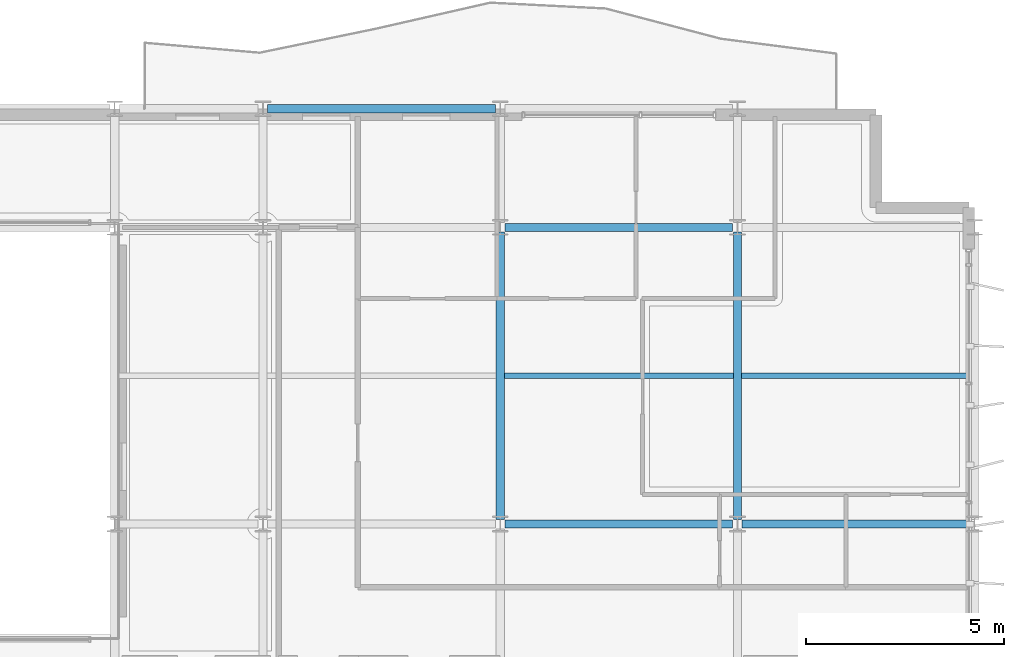
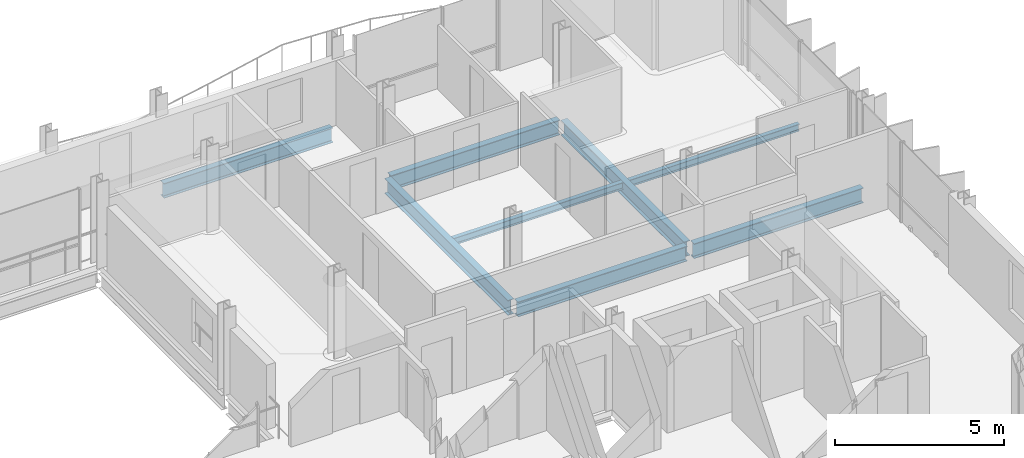
# One storey, part 21 of 38: 8 beams.
"""IFC4 building model written with IfcOpenShell, lengths in metres."""

from ifc_helpers import new_model, si_unit, direction, frame, origin, origin_2d, place, context, subcontext, project, spatial, i_section, extrude, material, material_profile, profile_set, type_object, element, save


model = new_model("IFC4")

# Units and contexts
model_context = context("Model", 3, precision=1e-05, world=origin(), true_north=direction((0.0, 1.0)))
body_context = subcontext(model_context, "Body", "Model", "MODEL_VIEW")
ifc_project = project(units=[si_unit("LENGTHUNIT", "METRE"), si_unit("AREAUNIT", "SQUARE_METRE"), si_unit("VOLUMEUNIT", "CUBIC_METRE"), si_unit("PLANEANGLEUNIT", "RADIAN"), si_unit("MASSUNIT", "GRAM", prefix="KILO")], contexts=[model_context])

# Site, building, storey
site_placement = place(None, origin())
site = spatial("IfcSite", under=ifc_project, at=site_placement, CompositionType="ELEMENT")
building_placement = place(site_placement, origin())
building = spatial("IfcBuilding", under=site, at=building_placement, Name="Brevholm Reach", CompositionType="ELEMENT")
storey_placement = place(building_placement, frame((0.0, 0.0, 186.300048828125)))
storey = spatial("IfcBuildingStorey", under=building, at=storey_placement, Name="L56", CompositionType="ELEMENT", Elevation=186.300048828125)

# Beams
ifc_material_1 = material(Name="Structural Steel S355J2", Category="steel")
ifc_material_profile_1 = material_profile(ifc_material_1, i_section(OverallWidth=0.14599609375, OverallDepth=0.25146484375, WebThickness=0.006103515625, FlangeThickness=0.008544921875, FilletRadius=0.007568359375, at=origin_2d()), Name="UKB 254x146x31")
ifc_profile_set_1 = profile_set([ifc_material_profile_1], Name="Structural Steel S355J2")
beam_type_1 = type_object("IfcBeamType", Name="BM-B254", PredefinedType="BEAM", material=ifc_profile_set_1)
beam_1_placement = place(storey_placement, frame((48.10546875, 19.75, -0.335693359375), z_axis=(1.0, 0.0, 0.0), x_axis=(0.0, 1.0, 0.0)))
element("IfcBeam", 1, at=beam_1_placement, inside=storey, type_object=beam_type_1, Name="L56 Composite Secondary Floor Beam", PredefinedType="BEAM", context=body_context, shape_type="SweptSolid", body=[
    extrude(i_section(OverallWidth=0.14599609375, OverallDepth=0.25146484375, WebThickness=0.006103515625, FlangeThickness=0.008544921875, FilletRadius=0.007568359375, at=origin_2d()), origin(), (0.0, 0.0, 1.0), 5.7890625),
])
beam_2_placement = place(storey_placement, frame((54.10546875, 19.75, -0.335693359375), z_axis=(1.0, 0.0, 0.0), x_axis=(0.0, 1.0, 0.0)))
element("IfcBeam", 2, at=beam_2_placement, inside=storey, type_object=beam_type_1, Name="L56 Composite Secondary Floor Beam", PredefinedType="BEAM", context=body_context, shape_type="SweptSolid", body=[
    extrude(i_section(OverallWidth=0.14599609375, OverallDepth=0.25146484375, WebThickness=0.006103515625, FlangeThickness=0.008544921875, FilletRadius=0.007568359375, at=origin_2d()), origin(), (0.0, 0.0, 1.0), 5.789794921875),
])
ifc_material_2 = material(Name="Structural Steel S355J2", Category="steel")
ifc_material_profile_2 = material_profile(ifc_material_2, i_section(OverallWidth=0.209228515625, OverallDepth=0.533203125, WebThickness=0.010009765625, FlangeThickness=0.015625, FilletRadius=0.0126953125, at=origin_2d()), Name="UKB 533x210x92")
ifc_profile_set_2 = profile_set([ifc_material_profile_2], Name="Structural Steel S355J2")
beam_type_2 = type_object("IfcBeamType", Name="BM-SP533", PredefinedType="SPANDREL", material=ifc_profile_set_2)
beam_3_placement = place(storey_placement, frame((42.1201171875, 26.5, -0.4765625), z_axis=(1.0, 0.0, 0.0), x_axis=(0.0, 1.0, 0.0)))
element("IfcBeam", 3, at=beam_3_placement, inside=storey, type_object=beam_type_2, Name="L56 SP-02 Framing Beam", PredefinedType="SPANDREL", context=body_context, shape_type="SweptSolid", body=[
    extrude(i_section(OverallWidth=0.209228515625, OverallDepth=0.533203125, WebThickness=0.010009765625, FlangeThickness=0.015625, FilletRadius=0.0126953125, at=origin_2d()), origin(), (0.0, 0.0, 1.0), 5.759765625),
])
ifc_material_3 = material(Name="Structural Steel S355J2", Category="steel")
ifc_material_profile_3 = material_profile(ifc_material_3, i_section(OverallWidth=0.210693359375, OverallDepth=0.53955078125, WebThickness=0.01171875, FlangeThickness=0.018798828125, FilletRadius=0.0126953125, at=origin_2d()), Name="UKB 533x210x109")
ifc_profile_set_3 = profile_set([ifc_material_profile_3], Name="Structural Steel S355J2")
beam_type_3 = type_object("IfcBeamType", Name="BM-SP539", PredefinedType="SPANDREL", material=ifc_profile_set_3)
for number, where, z_axis, x_axis, name in (
    (4, (48.1201171875, 16.0, -0.479736328125), (1.0, 0.0, 0.0), (0.0, 1.0, 0.0), "L56 SP-01B Framing Beam"),
    (5, (54.1201171875, 16.0, -0.479736328125), (1.0, 0.0, 0.0), (0.0, 1.0, 0.0), "L56 SP-01B Framing Beam"),
    (6, (48.1201171875, 23.5, -0.479736328125), (1.0, 0.0, 0.0), (0.0, 1.0, 0.0), "L56 SP-01B Framing Beam"),
):
    element("IfcBeam", number, at=place(storey_placement, frame(where, z_axis=z_axis, x_axis=x_axis)), inside=storey, type_object=beam_type_3, Name=name, PredefinedType="SPANDREL", context=body_context, shape_type="SweptSolid", body=[
        extrude(i_section(OverallWidth=0.210693359375, OverallDepth=0.53955078125, WebThickness=0.01171875, FlangeThickness=0.018798828125, FilletRadius=0.0126953125, at=origin_2d()), origin(), (0.0, 0.0, 1.0), 5.759765625),
    ])
for number, where, z_axis, x_axis, name in (
    (7, (48.0, 16.1201171875, -0.479736328125), (0.0, 1.0, 0.0), (-1.0, 0.0, 0.0), "L56 SP-01B Framing Beam"),
    (8, (54.0, 16.1201171875, -0.479736328125), (0.0, 1.0, 0.0), (-1.0, 0.0, 0.0), "L56 SP-01B Framing Beam"),
):
    element("IfcBeam", number, at=place(storey_placement, frame(where, z_axis=z_axis, x_axis=x_axis)), inside=storey, type_object=beam_type_3, Name=name, PredefinedType="SPANDREL", context=body_context, shape_type="SweptSolid", body=[
        extrude(i_section(OverallWidth=0.210693359375, OverallDepth=0.53955078125, WebThickness=0.01171875, FlangeThickness=0.018798828125, FilletRadius=0.0126953125, at=origin_2d()), origin(), (0.0, 0.0, 1.0), 7.259765625),
    ])

save(model, "model.ifc")
